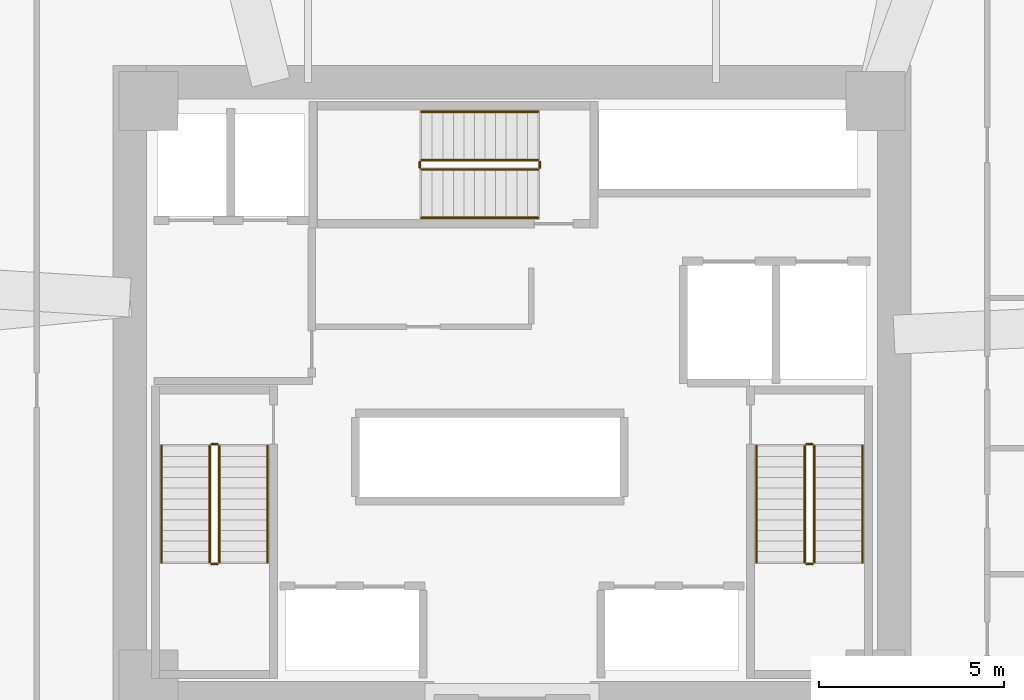
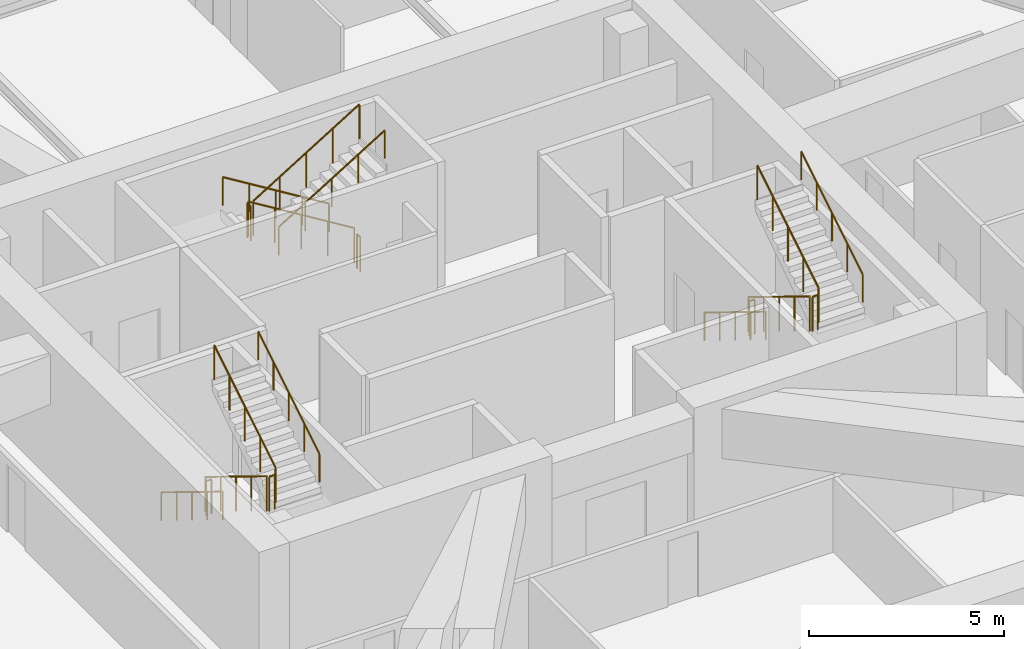
# One storey, part 16 of 16: 18 railings.
"""IFC4 building model written with IfcOpenShell, lengths in metres."""

from ifc_helpers import new_model, si_unit, direction, frame, origin, origin_2d, place, context, subcontext, project, spatial, circle, extrude, material, type_object, element, save


model = new_model("IFC4")

# Units and contexts
model_context = context("Model", 3, precision=1e-05, world=origin(), true_north=direction((0.0, 1.0)))
body_context = subcontext(model_context, "Body", "Model", "MODEL_VIEW")
ifc_project = project(units=[si_unit("LENGTHUNIT", "METRE"), si_unit("AREAUNIT", "SQUARE_METRE"), si_unit("VOLUMEUNIT", "CUBIC_METRE"), si_unit("PLANEANGLEUNIT", "RADIAN"), si_unit("MASSUNIT", "GRAM", prefix="KILO")], contexts=[model_context])

# Site, building, storey
site_placement = place(None, origin())
site = spatial("IfcSite", under=ifc_project, at=site_placement, CompositionType="ELEMENT")
building_placement = place(site_placement, origin())
building = spatial("IfcBuilding", under=site, at=building_placement, Name="Durnholm Broadcast Tower", CompositionType="ELEMENT")
storey_placement = place(building_placement, frame((0.0, 0.0, 84.300048828125)))
storey = spatial("IfcBuildingStorey", under=building, at=storey_placement, Name="L22", CompositionType="ELEMENT", Elevation=84.300048828125)

# Railings
ifc_material_1 = material(Name="Painted Tubular Steel Stair Guardrail", Category="steel")
railing_type_1 = type_object("IfcRailingType", Name="RAIL-ST-GRD", PredefinedType="GUARDRAIL", material=ifc_material_1)
railing_1_placement = place(storey_placement, frame((-8.14990234375, -1.5, 0.175048828125)))
element("IfcRailing", 1, at=railing_1_placement, inside=storey, type_object=railing_type_1, Name="L22 ST-1 stair guard 1", PredefinedType="GUARDRAIL", context=body_context, shape_type="SweptSolid", body=[
    extrude(circle(Radius=0.02392578125, at=origin_2d()), frame((0.0, 0.0, 1.076171875), z_axis=(0.0, -0.852195625947, 0.523223293744), x_axis=(1.0, 0.0, 0.0)), (0.0, 0.0, 1.0), 3.6787109375),
    extrude(circle(Radius=0.02099609375, at=origin_2d()), origin(), (0.0, 0.0, 1.0), 1.052001953125),
    extrude(circle(Radius=0.02099609375, at=origin_2d()), frame((0.0, -0.78369140625, 0.481201171875)), (0.0, 0.0, 1.0), 1.052001953125),
    extrude(circle(Radius=0.02099609375, at=origin_2d()), frame((0.0, -1.5673828125, 0.96240234375)), (0.0, 0.0, 1.0), 1.052001953125),
    extrude(circle(Radius=0.02099609375, at=origin_2d()), frame((0.0, -2.351318359375, 1.443603515625)), (0.0, 0.0, 1.0), 1.052001953125),
    extrude(circle(Radius=0.02099609375, at=origin_2d()), frame((0.0, -3.135009765625, 1.9248046875)), (0.0, 0.0, 1.0), 1.052001953125),
])
railing_2_placement = place(storey_placement, frame((-8.10009765625, -4.68505859375, 2.099853515625)))
element("IfcRailing", 2, at=railing_2_placement, inside=storey, type_object=railing_type_1, Name="L22 ST-1 stair guard 2", PredefinedType="GUARDRAIL", context=body_context, shape_type="SweptSolid", body=[
    extrude(circle(Radius=0.02392578125, at=origin_2d()), frame((0.0, 0.0, 1.076171875), z_axis=(1.0, 0.0, 0.0), x_axis=(0.0, 1.0, 0.0)), (0.0, 0.0, 1.0), 0.16015625),
    extrude(circle(Radius=0.02099609375, at=origin_2d()), origin(), (0.0, 0.0, 1.0), 1.052001953125),
    extrude(circle(Radius=0.02099609375, at=origin_2d()), frame((0.16015625, 0.0, 0.0)), (0.0, 0.0, 1.0), 1.052001953125),
])
railing_3_placement = place(storey_placement, frame((-7.889892578125, -4.635009765625, 2.27490234375)))
element("IfcRailing", 3, at=railing_3_placement, inside=storey, type_object=railing_type_1, Name="L22 ST-1 stair guard 3", PredefinedType="GUARDRAIL", context=body_context, shape_type="SweptSolid", body=[
    extrude(circle(Radius=0.02392578125, at=origin_2d()), frame((0.0, 0.0, 1.076171875), z_axis=(0.0, 0.852166034122, 0.523271488128), x_axis=(-1.0, 0.0, 0.0)), (0.0, 0.0, 1.0), 3.678955078125),
    extrude(circle(Radius=0.02099609375, at=origin_2d()), origin(), (0.0, 0.0, 1.0), 1.052001953125),
    extrude(circle(Radius=0.02099609375, at=origin_2d()), frame((0.0, 0.78369140625, 0.481201171875)), (0.0, 0.0, 1.0), 1.052001953125),
    extrude(circle(Radius=0.02099609375, at=origin_2d()), frame((0.0, 1.5673828125, 0.96240234375)), (0.0, 0.0, 1.0), 1.052001953125),
    extrude(circle(Radius=0.02099609375, at=origin_2d()), frame((0.0, 2.351318359375, 1.44384765625)), (0.0, 0.0, 1.0), 1.052001953125),
    extrude(circle(Radius=0.02099609375, at=origin_2d()), frame((0.0, 3.135009765625, 1.925048828125)), (0.0, 0.0, 1.0), 1.052001953125),
])
railing_4_placement = place(storey_placement, frame((-8.10009765625, -1.449951171875, 0.0)))
element("IfcRailing", 4, at=railing_4_placement, inside=storey, type_object=railing_type_1, Name="L22 ST-1 stair guard 4", PredefinedType="GUARDRAIL", context=body_context, shape_type="SweptSolid", body=[
    extrude(circle(Radius=0.02392578125, at=origin_2d()), frame((0.0, 0.0, 1.076171875), z_axis=(1.0, 0.0, 0.0), x_axis=(0.0, 1.0, 0.0)), (0.0, 0.0, 1.0), 0.16015625),
    extrude(circle(Radius=0.02099609375, at=origin_2d()), origin(), (0.0, 0.0, 1.0), 1.052001953125),
    extrude(circle(Radius=0.02099609375, at=origin_2d()), frame((0.16015625, 0.0, 0.0)), (0.0, 0.0, 1.0), 1.052001953125),
])
railing_5_placement = place(storey_placement, frame((7.889892578125, -1.5, 0.175048828125)))
element("IfcRailing", 5, at=railing_5_placement, inside=storey, type_object=railing_type_1, Name="L22 ST-2 stair guard 1", PredefinedType="GUARDRAIL", context=body_context, shape_type="SweptSolid", body=[
    extrude(circle(Radius=0.02392578125, at=origin_2d()), frame((0.0, 0.0, 1.076171875), z_axis=(0.0, -0.852195625947, 0.523223293744), x_axis=(1.0, 0.0, 0.0)), (0.0, 0.0, 1.0), 3.6787109375),
    extrude(circle(Radius=0.02099609375, at=origin_2d()), origin(), (0.0, 0.0, 1.0), 1.052001953125),
    extrude(circle(Radius=0.02099609375, at=origin_2d()), frame((0.0, -0.78369140625, 0.481201171875)), (0.0, 0.0, 1.0), 1.052001953125),
    extrude(circle(Radius=0.02099609375, at=origin_2d()), frame((0.0, -1.5673828125, 0.96240234375)), (0.0, 0.0, 1.0), 1.052001953125),
    extrude(circle(Radius=0.02099609375, at=origin_2d()), frame((0.0, -2.351318359375, 1.443603515625)), (0.0, 0.0, 1.0), 1.052001953125),
    extrude(circle(Radius=0.02099609375, at=origin_2d()), frame((0.0, -3.135009765625, 1.9248046875)), (0.0, 0.0, 1.0), 1.052001953125),
])
railing_6_placement = place(storey_placement, frame((7.93994140625, -4.68505859375, 2.099853515625)))
element("IfcRailing", 6, at=railing_6_placement, inside=storey, type_object=railing_type_1, Name="L22 ST-2 stair guard 2", PredefinedType="GUARDRAIL", context=body_context, shape_type="SweptSolid", body=[
    extrude(circle(Radius=0.02392578125, at=origin_2d()), frame((0.0, 0.0, 1.076171875), z_axis=(1.0, 0.0, 0.0), x_axis=(0.0, 1.0, 0.0)), (0.0, 0.0, 1.0), 0.16015625),
    extrude(circle(Radius=0.02099609375, at=origin_2d()), origin(), (0.0, 0.0, 1.0), 1.052001953125),
    extrude(circle(Radius=0.02099609375, at=origin_2d()), frame((0.16015625, 0.0, 0.0)), (0.0, 0.0, 1.0), 1.052001953125),
])
railing_7_placement = place(storey_placement, frame((8.14990234375, -4.635009765625, 2.27490234375)))
element("IfcRailing", 7, at=railing_7_placement, inside=storey, type_object=railing_type_1, Name="L22 ST-2 stair guard 3", PredefinedType="GUARDRAIL", context=body_context, shape_type="SweptSolid", body=[
    extrude(circle(Radius=0.02392578125, at=origin_2d()), frame((0.0, 0.0, 1.076171875), z_axis=(0.0, 0.852166034122, 0.523271488128), x_axis=(-1.0, 0.0, 0.0)), (0.0, 0.0, 1.0), 3.678955078125),
    extrude(circle(Radius=0.02099609375, at=origin_2d()), origin(), (0.0, 0.0, 1.0), 1.052001953125),
    extrude(circle(Radius=0.02099609375, at=origin_2d()), frame((0.0, 0.78369140625, 0.481201171875)), (0.0, 0.0, 1.0), 1.052001953125),
    extrude(circle(Radius=0.02099609375, at=origin_2d()), frame((0.0, 1.5673828125, 0.96240234375)), (0.0, 0.0, 1.0), 1.052001953125),
    extrude(circle(Radius=0.02099609375, at=origin_2d()), frame((0.0, 2.351318359375, 1.44384765625)), (0.0, 0.0, 1.0), 1.052001953125),
    extrude(circle(Radius=0.02099609375, at=origin_2d()), frame((0.0, 3.135009765625, 1.925048828125)), (0.0, 0.0, 1.0), 1.052001953125),
])
railing_8_placement = place(storey_placement, frame((7.93994140625, -1.449951171875, 0.0)))
element("IfcRailing", 8, at=railing_8_placement, inside=storey, type_object=railing_type_1, Name="L22 ST-2 stair guard 4", PredefinedType="GUARDRAIL", context=body_context, shape_type="SweptSolid", body=[
    extrude(circle(Radius=0.02392578125, at=origin_2d()), frame((0.0, 0.0, 1.076171875), z_axis=(1.0, 0.0, 0.0), x_axis=(0.0, 1.0, 0.0)), (0.0, 0.0, 1.0), 0.16015625),
    extrude(circle(Radius=0.02099609375, at=origin_2d()), origin(), (0.0, 0.0, 1.0), 1.052001953125),
    extrude(circle(Radius=0.02099609375, at=origin_2d()), frame((0.16015625, 0.0, 0.0)), (0.0, 0.0, 1.0), 1.052001953125),
])
railing_9_placement = place(storey_placement, frame((0.699951171875, 6.2099609375, 0.175048828125)))
element("IfcRailing", 9, at=railing_9_placement, inside=storey, type_object=railing_type_1, Name="L22 ST-3 stair guard 1", PredefinedType="GUARDRAIL", context=body_context, shape_type="SweptSolid", body=[
    extrude(circle(Radius=0.02392578125, at=origin_2d()), frame((0.0, 0.0, 1.076171875), z_axis=(-0.852195625947, 0.0, 0.523223293744), x_axis=(0.0, -1.0, 0.0)), (0.0, 0.0, 1.0), 3.6787109375),
    extrude(circle(Radius=0.02099609375, at=origin_2d()), origin(), (0.0, 0.0, 1.0), 1.052001953125),
    extrude(circle(Radius=0.02099609375, at=origin_2d()), frame((-0.78369140625, 0.0, 0.481201171875)), (0.0, 0.0, 1.0), 1.052001953125),
    extrude(circle(Radius=0.02099609375, at=origin_2d()), frame((-1.5673828125, 0.0, 0.96240234375)), (0.0, 0.0, 1.0), 1.052001953125),
    extrude(circle(Radius=0.02099609375, at=origin_2d()), frame((-2.351318359375, 0.0, 1.443603515625)), (0.0, 0.0, 1.0), 1.052001953125),
    extrude(circle(Radius=0.02099609375, at=origin_2d()), frame((-3.135009765625, 0.0, 1.9248046875)), (0.0, 0.0, 1.0), 1.052001953125),
])
railing_10_placement = place(storey_placement, frame((-2.485107421875, 6.159912109375, 2.099853515625)))
element("IfcRailing", 10, at=railing_10_placement, inside=storey, type_object=railing_type_1, Name="L22 ST-3 stair guard 2", PredefinedType="GUARDRAIL", context=body_context, shape_type="SweptSolid", body=[
    extrude(circle(Radius=0.02392578125, at=origin_2d()), frame((0.0, 0.0, 1.076171875), z_axis=(0.0, -1.0, 0.0), x_axis=(1.0, 0.0, 0.0)), (0.0, 0.0, 1.0), 0.159912109375),
    extrude(circle(Radius=0.02099609375, at=origin_2d()), origin(), (0.0, 0.0, 1.0), 1.052001953125),
    extrude(circle(Radius=0.02099609375, at=origin_2d()), frame((0.0, -0.159912109375, 0.0)), (0.0, 0.0, 1.0), 1.052001953125),
])
railing_11_placement = place(storey_placement, frame((-2.43505859375, 5.949951171875, 2.27490234375)))
element("IfcRailing", 11, at=railing_11_placement, inside=storey, type_object=railing_type_1, Name="L22 ST-3 stair guard 3", PredefinedType="GUARDRAIL", context=body_context, shape_type="SweptSolid", body=[
    extrude(circle(Radius=0.02392578125, at=origin_2d()), frame((0.0, 0.0, 1.076171875), z_axis=(0.852166034122, 0.0, 0.523271488128), x_axis=(0.0, 1.0, 0.0)), (0.0, 0.0, 1.0), 3.678955078125),
    extrude(circle(Radius=0.02099609375, at=origin_2d()), origin(), (0.0, 0.0, 1.0), 1.052001953125),
    extrude(circle(Radius=0.02099609375, at=origin_2d()), frame((0.78369140625, 0.0, 0.481201171875)), (0.0, 0.0, 1.0), 1.052001953125),
    extrude(circle(Radius=0.02099609375, at=origin_2d()), frame((1.5673828125, 0.0, 0.96240234375)), (0.0, 0.0, 1.0), 1.052001953125),
    extrude(circle(Radius=0.02099609375, at=origin_2d()), frame((2.351318359375, 0.0, 1.44384765625)), (0.0, 0.0, 1.0), 1.052001953125),
    extrude(circle(Radius=0.02099609375, at=origin_2d()), frame((3.135009765625, 0.0, 1.925048828125)), (0.0, 0.0, 1.0), 1.052001953125),
])
railing_12_placement = place(storey_placement, frame((0.75, 6.159912109375, 0.0)))
element("IfcRailing", 12, at=railing_12_placement, inside=storey, type_object=railing_type_1, Name="L22 ST-3 stair guard 4", PredefinedType="GUARDRAIL", context=body_context, shape_type="SweptSolid", body=[
    extrude(circle(Radius=0.02392578125, at=origin_2d()), frame((0.0, 0.0, 1.076171875), z_axis=(0.0, -1.0, 0.0), x_axis=(1.0, 0.0, 0.0)), (0.0, 0.0, 1.0), 0.159912109375),
    extrude(circle(Radius=0.02099609375, at=origin_2d()), origin(), (0.0, 0.0, 1.0), 1.052001953125),
    extrude(circle(Radius=0.02099609375, at=origin_2d()), frame((0.0, -0.159912109375, 0.0)), (0.0, 0.0, 1.0), 1.052001953125),
])
ifc_material_2 = material(Name="Brushed Stainless Steel Handrail", Category="steel")
railing_type_2 = type_object("IfcRailingType", Name="RAIL-ST-HND", PredefinedType="HANDRAIL", material=ifc_material_2)
railing_13_placement = place(storey_placement, frame((-9.449951171875, -1.5, 0.349853515625)))
element("IfcRailing", 13, at=railing_13_placement, inside=storey, type_object=railing_type_2, Name="L22 ST-1 stair handrail 1", PredefinedType="HANDRAIL", context=body_context, shape_type="SweptSolid", body=[
    extrude(circle(Radius=0.02392578125, at=origin_2d()), frame((0.0, 0.0, 0.8759765625), z_axis=(0.0, -0.852166034122, 0.523271488128), x_axis=(1.0, 0.0, 0.0)), (0.0, 0.0, 1.0), 3.678955078125),
    extrude(circle(Radius=0.02099609375, at=origin_2d()), origin(), (0.0, 0.0, 1.0), 0.851806640625),
    extrude(circle(Radius=0.02099609375, at=origin_2d()), frame((0.0, -0.78369140625, 0.481201171875)), (0.0, 0.0, 1.0), 0.851806640625),
    extrude(circle(Radius=0.02099609375, at=origin_2d()), frame((0.0, -1.5673828125, 0.96240234375)), (0.0, 0.0, 1.0), 0.851806640625),
    extrude(circle(Radius=0.02099609375, at=origin_2d()), frame((0.0, -2.351318359375, 1.44384765625)), (0.0, 0.0, 1.0), 0.851806640625),
    extrude(circle(Radius=0.02099609375, at=origin_2d()), frame((0.0, -3.135009765625, 1.925048828125)), (0.0, 0.0, 1.0), 0.851806640625),
])
railing_14_placement = place(storey_placement, frame((-6.590087890625, -4.635009765625, 2.449951171875)))
element("IfcRailing", 14, at=railing_14_placement, inside=storey, type_object=railing_type_2, Name="L22 ST-1 stair handrail 2", PredefinedType="HANDRAIL", context=body_context, shape_type="SweptSolid", body=[
    extrude(circle(Radius=0.02392578125, at=origin_2d()), frame((0.0, 0.0, 0.8759765625), z_axis=(0.0, 0.852166034122, 0.523271488128), x_axis=(-1.0, 0.0, 0.0)), (0.0, 0.0, 1.0), 3.678955078125),
    extrude(circle(Radius=0.02099609375, at=origin_2d()), origin(), (0.0, 0.0, 1.0), 0.851806640625),
    extrude(circle(Radius=0.02099609375, at=origin_2d()), frame((0.0, 0.78369140625, 0.481201171875)), (0.0, 0.0, 1.0), 0.851806640625),
    extrude(circle(Radius=0.02099609375, at=origin_2d()), frame((0.0, 1.5673828125, 0.96240234375)), (0.0, 0.0, 1.0), 0.851806640625),
    extrude(circle(Radius=0.02099609375, at=origin_2d()), frame((0.0, 2.351318359375, 1.44384765625)), (0.0, 0.0, 1.0), 0.851806640625),
    extrude(circle(Radius=0.02099609375, at=origin_2d()), frame((0.0, 3.135009765625, 1.925048828125)), (0.0, 0.0, 1.0), 0.851806640625),
])
railing_15_placement = place(storey_placement, frame((6.590087890625, -1.5, 0.349853515625)))
element("IfcRailing", 15, at=railing_15_placement, inside=storey, type_object=railing_type_2, Name="L22 ST-2 stair handrail 1", PredefinedType="HANDRAIL", context=body_context, shape_type="SweptSolid", body=[
    extrude(circle(Radius=0.02392578125, at=origin_2d()), frame((0.0, 0.0, 0.8759765625), z_axis=(0.0, -0.852166034122, 0.523271488128), x_axis=(1.0, 0.0, 0.0)), (0.0, 0.0, 1.0), 3.678955078125),
    extrude(circle(Radius=0.02099609375, at=origin_2d()), origin(), (0.0, 0.0, 1.0), 0.851806640625),
    extrude(circle(Radius=0.02099609375, at=origin_2d()), frame((0.0, -0.78369140625, 0.481201171875)), (0.0, 0.0, 1.0), 0.851806640625),
    extrude(circle(Radius=0.02099609375, at=origin_2d()), frame((0.0, -1.5673828125, 0.96240234375)), (0.0, 0.0, 1.0), 0.851806640625),
    extrude(circle(Radius=0.02099609375, at=origin_2d()), frame((0.0, -2.351318359375, 1.44384765625)), (0.0, 0.0, 1.0), 0.851806640625),
    extrude(circle(Radius=0.02099609375, at=origin_2d()), frame((0.0, -3.135009765625, 1.925048828125)), (0.0, 0.0, 1.0), 0.851806640625),
])
railing_16_placement = place(storey_placement, frame((9.449951171875, -4.635009765625, 2.449951171875)))
element("IfcRailing", 16, at=railing_16_placement, inside=storey, type_object=railing_type_2, Name="L22 ST-2 stair handrail 2", PredefinedType="HANDRAIL", context=body_context, shape_type="SweptSolid", body=[
    extrude(circle(Radius=0.02392578125, at=origin_2d()), frame((0.0, 0.0, 0.8759765625), z_axis=(0.0, 0.852166034122, 0.523271488128), x_axis=(-1.0, 0.0, 0.0)), (0.0, 0.0, 1.0), 3.678955078125),
    extrude(circle(Radius=0.02099609375, at=origin_2d()), origin(), (0.0, 0.0, 1.0), 0.851806640625),
    extrude(circle(Radius=0.02099609375, at=origin_2d()), frame((0.0, 0.78369140625, 0.481201171875)), (0.0, 0.0, 1.0), 0.851806640625),
    extrude(circle(Radius=0.02099609375, at=origin_2d()), frame((0.0, 1.5673828125, 0.96240234375)), (0.0, 0.0, 1.0), 0.851806640625),
    extrude(circle(Radius=0.02099609375, at=origin_2d()), frame((0.0, 2.351318359375, 1.44384765625)), (0.0, 0.0, 1.0), 0.851806640625),
    extrude(circle(Radius=0.02099609375, at=origin_2d()), frame((0.0, 3.135009765625, 1.925048828125)), (0.0, 0.0, 1.0), 0.851806640625),
])
railing_17_placement = place(storey_placement, frame((0.699951171875, 7.510009765625, 0.349853515625)))
element("IfcRailing", 17, at=railing_17_placement, inside=storey, type_object=railing_type_2, Name="L22 ST-3 stair handrail 1", PredefinedType="HANDRAIL", context=body_context, shape_type="SweptSolid", body=[
    extrude(circle(Radius=0.02392578125, at=origin_2d()), frame((0.0, 0.0, 0.8759765625), z_axis=(-0.852166034122, 0.0, 0.523271488128), x_axis=(0.0, -1.0, 0.0)), (0.0, 0.0, 1.0), 3.678955078125),
    extrude(circle(Radius=0.02099609375, at=origin_2d()), origin(), (0.0, 0.0, 1.0), 0.851806640625),
    extrude(circle(Radius=0.02099609375, at=origin_2d()), frame((-0.78369140625, 0.0, 0.481201171875)), (0.0, 0.0, 1.0), 0.851806640625),
    extrude(circle(Radius=0.02099609375, at=origin_2d()), frame((-1.5673828125, 0.0, 0.96240234375)), (0.0, 0.0, 1.0), 0.851806640625),
    extrude(circle(Radius=0.02099609375, at=origin_2d()), frame((-2.351318359375, 0.0, 1.44384765625)), (0.0, 0.0, 1.0), 0.851806640625),
    extrude(circle(Radius=0.02099609375, at=origin_2d()), frame((-3.135009765625, 0.0, 1.925048828125)), (0.0, 0.0, 1.0), 0.851806640625),
])
railing_18_placement = place(storey_placement, frame((-2.43505859375, 4.64990234375, 2.449951171875)))
element("IfcRailing", 18, at=railing_18_placement, inside=storey, type_object=railing_type_2, Name="L22 ST-3 stair handrail 2", PredefinedType="HANDRAIL", context=body_context, shape_type="SweptSolid", body=[
    extrude(circle(Radius=0.02392578125, at=origin_2d()), frame((0.0, 0.0, 0.8759765625), z_axis=(0.852166034122, 0.0, 0.523271488128), x_axis=(0.0, 1.0, 0.0)), (0.0, 0.0, 1.0), 3.678955078125),
    extrude(circle(Radius=0.02099609375, at=origin_2d()), origin(), (0.0, 0.0, 1.0), 0.851806640625),
    extrude(circle(Radius=0.02099609375, at=origin_2d()), frame((0.78369140625, 0.0, 0.481201171875)), (0.0, 0.0, 1.0), 0.851806640625),
    extrude(circle(Radius=0.02099609375, at=origin_2d()), frame((1.5673828125, 0.0, 0.96240234375)), (0.0, 0.0, 1.0), 0.851806640625),
    extrude(circle(Radius=0.02099609375, at=origin_2d()), frame((2.351318359375, 0.0, 1.44384765625)), (0.0, 0.0, 1.0), 0.851806640625),
    extrude(circle(Radius=0.02099609375, at=origin_2d()), frame((3.135009765625, 0.0, 1.925048828125)), (0.0, 0.0, 1.0), 0.851806640625),
])

save(model, "model.ifc")
